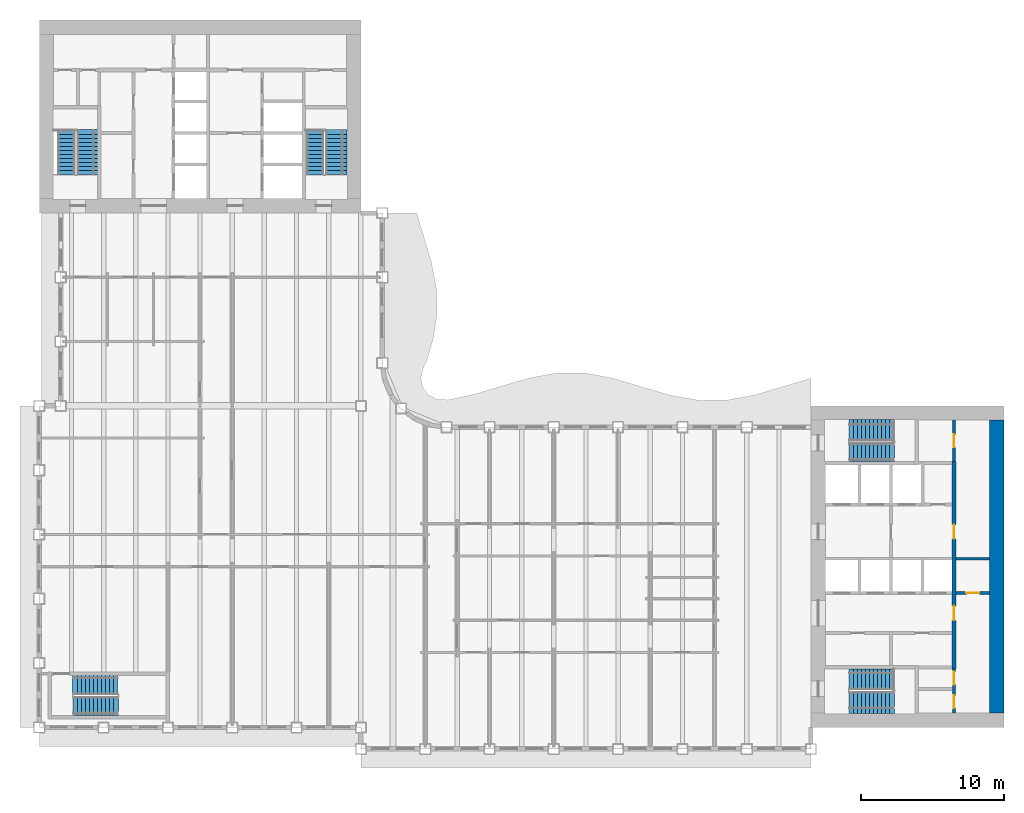
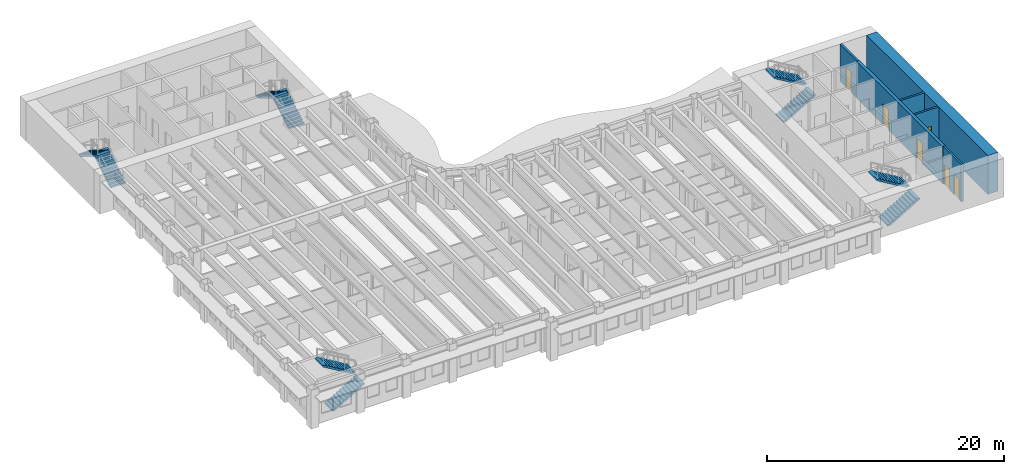
# One storey, part 10 of 16: 10 stair flights, 6 doors, 6 walls, 6 openings, 5 elements without a shape of their own.
"""IFC4 building model written with IfcOpenShell, lengths in metres."""

from ifc_helpers import new_model, si_unit, direction, frame, frame_2d, origin, place, context, subcontext, project, spatial, polyline, rectangle, outline, extrude, material, layer, layer_set, type_object, element, fill, aggregate, save


model = new_model("IFC4")

# Units and contexts
model_context = context("Model", 3, precision=1e-05, world=origin(), true_north=direction((0.0, 1.0)))
body_context = subcontext(model_context, "Body", "Model", "MODEL_VIEW")
ifc_project = project(units=[si_unit("LENGTHUNIT", "METRE"), si_unit("AREAUNIT", "SQUARE_METRE"), si_unit("VOLUMEUNIT", "CUBIC_METRE"), si_unit("PLANEANGLEUNIT", "RADIAN"), si_unit("MASSUNIT", "GRAM", prefix="KILO")], contexts=[model_context])

# Site, building, storey
site_placement = place(None, origin())
site = spatial("IfcSite", under=ifc_project, at=site_placement, CompositionType="ELEMENT")
building_placement = place(site_placement, origin())
building = spatial("IfcBuilding", under=site, at=building_placement, Name="Sennacour Bend Tower", CompositionType="ELEMENT")
storey_placement = place(building_placement, frame((0.0, 0.0, 207.0)))
storey = spatial("IfcBuildingStorey", under=building, at=storey_placement, Name="L47", CompositionType="ELEMENT", Elevation=207.0)

# Wall
ifc_material_1 = material(Name="Concrete C60/75", Category="concrete")
ifc_layer_1 = layer(ifc_material_1, 1.0, Name="Concrete C60/75", Category="concrete")
ifc_layer_set_1 = layer_set([ifc_layer_1], Name="Concrete C60/75")
wall_type_1 = type_object("IfcWallType", Name="Core wall 1000 C60/75", PredefinedType="SHEAR", material=ifc_layer_set_1)
wall_1_placement = place(storey_placement, frame((67.0, 1.0, -0.14990234375), z_axis=(0.0, 0.0, 1.0), x_axis=(0.0, 1.0, 0.0)))
element("IfcWall", 1, at=wall_1_placement, inside=storey, type_object=wall_type_1, Name="Core A wall L47 E", PredefinedType="SHEAR", context=body_context, shape_type="SweptSolid", body=[
    extrude(rectangle(XDim=20.5, YDim=1.0, at=frame_2d((10.25, 0.0))), origin(), (0.0, 0.0, 1.0), 4.0),
])

# Wall, openings, doors
ifc_material_2 = material(Name="Fire-rated plasterboard partition on steel studs", Category="steel")
ifc_layer_2 = layer(ifc_material_2, 0.199951171875, Name="Fire-rated plasterboard partition on steel studs", Category="steel")
ifc_layer_set_2 = layer_set([ifc_layer_2], Name="Fire-rated plasterboard partition on steel studs")
wall_type_2 = type_object("IfcWallType", Name="Rated partition 200", PredefinedType="PARTITIONING", material=ifc_layer_set_2)
wall_2_placement = place(storey_placement, frame((64.0, 1.0, 0.0), z_axis=(0.0, 0.0, 1.0), x_axis=(0.0, 1.0, 0.0)))
wall_2 = element("IfcWall", 2, at=wall_2_placement, inside=storey, type_object=wall_type_2, Name="P-L47-W049", PredefinedType="PARTITIONING", context=body_context, shape_type="SweptSolid", body=[
    extrude(rectangle(XDim=3.10009765625, YDim=0.199951171875, at=frame_2d((1.550048828125, 0.0))), origin(), (0.0, 0.0, 1.0), 3.85009765625),
])
opening_1_placement = place(wall_2_placement, frame((0.35009765625, 0.0, 0.0)))
opening_1 = element("IfcOpeningElement", 3, at=opening_1_placement, cuts=wall_2, Name="Opening SV", PredefinedType="OPENING", context=body_context, shape_type="SweptSolid", body=[
    extrude(rectangle(XDim=0.89990234375, YDim=2.10009765625, at=frame_2d((0.449951171875, 1.050048828125))), frame((0.0, 0.10986328125, 0.0), z_axis=(0.0, -1.0, 0.0), x_axis=(1.0, 0.0, 0.0)), (0.0, 0.0, 1.0), 0.219970703125),
])
opening_2_placement = place(wall_2_placement, frame((2.0, 0.0, 0.0)))
opening_2 = element("IfcOpeningElement", 4, at=opening_2_placement, cuts=wall_2, Name="Opening SV", PredefinedType="OPENING", context=body_context, shape_type="SweptSolid", body=[
    extrude(rectangle(XDim=0.89990234375, YDim=2.10009765625, at=frame_2d((0.449951171875, 1.050048828125))), frame((0.0, 0.10986328125, 0.0), z_axis=(0.0, -1.0, 0.0), x_axis=(1.0, 0.0, 0.0)), (0.0, 0.0, 1.0), 0.219970703125),
])
ifc_material_3 = material(Name="Painted steel", Category="steel")
door_type_1 = type_object("IfcDoorType", Name="DR-SERVICE-900", OperationType="NOTDEFINED", PredefinedType="DOOR", material=ifc_material_3)
door_1_placement = place(opening_1_placement, origin())
door_1 = element("IfcDoor", 5, at=door_1_placement, inside=storey, type_object=door_type_1, Name="Door", OperationType="SINGLE_SWING_LEFT", OverallHeight=2.10009765625, OverallWidth=0.89990234375, PredefinedType="DOOR", context=body_context, shape_type="SweptSolid", body=[
    extrude(rectangle(XDim=0.89990234375, YDim=2.10009765625, at=frame_2d((0.449951171875, 1.050048828125))), frame((0.0, 0.02490234375, 0.0), z_axis=(0.0, -1.0, 0.0), x_axis=(1.0, 0.0, 0.0)), (0.0, 0.0, 1.0), 0.050048828125),
])
fill(opening_1, door_1)
door_2_placement = place(opening_2_placement, origin())
door_2 = element("IfcDoor", 6, at=door_2_placement, inside=storey, type_object=door_type_1, Name="Door", OperationType="SINGLE_SWING_RIGHT", OverallHeight=2.10009765625, OverallWidth=0.89990234375, PredefinedType="DOOR", context=body_context, shape_type="SweptSolid", body=[
    extrude(rectangle(XDim=0.89990234375, YDim=2.10009765625, at=frame_2d((0.449951171875, 1.050048828125))), frame((0.0, 0.02490234375, 0.0), z_axis=(0.0, -1.0, 0.0), x_axis=(1.0, 0.0, 0.0)), (0.0, 0.0, 1.0), 0.050048828125),
])
fill(opening_2, door_2)

# Wall, opening, door
wall_3_placement = place(storey_placement, frame((64.0, 18.60009765625, 0.0), z_axis=(0.0, 0.0, 1.0), x_axis=(0.0, 1.0, 0.0)))
wall_3 = element("IfcWall", 7, at=wall_3_placement, inside=storey, type_object=wall_type_2, Name="P-L47-W051", PredefinedType="PARTITIONING", context=body_context, shape_type="SweptSolid", body=[
    extrude(rectangle(XDim=2.89990234375, YDim=0.199951171875, at=frame_2d((1.449951171875, 0.0))), origin(), (0.0, 0.0, 1.0), 3.85009765625),
])
opening_3_placement = place(wall_3_placement, frame((1.0, 0.0, 0.0)))
opening_3 = element("IfcOpeningElement", 8, at=opening_3_placement, cuts=wall_3, Name="Opening WD", PredefinedType="OPENING", context=body_context, shape_type="SweptSolid", body=[
    extrude(rectangle(XDim=0.89990234375, YDim=2.10009765625, at=frame_2d((0.449951171875, 1.050048828125))), frame((0.0, 0.10986328125, 0.0), z_axis=(0.0, -1.0, 0.0), x_axis=(1.0, 0.0, 0.0)), (0.0, 0.0, 1.0), 0.219970703125),
])
ifc_material_4 = material(Name="Timber", Category="wood")
door_type_2 = type_object("IfcDoorType", Name="DR-WC-900", OperationType="NOTDEFINED", PredefinedType="DOOR", material=ifc_material_4)
door_3_placement = place(opening_3_placement, origin())
door_3 = element("IfcDoor", 9, at=door_3_placement, inside=storey, type_object=door_type_2, Name="Door", OperationType="SINGLE_SWING_LEFT", OverallHeight=2.10009765625, OverallWidth=0.89990234375, PredefinedType="DOOR", context=body_context, shape_type="SweptSolid", body=[
    extrude(rectangle(XDim=0.89990234375, YDim=2.10009765625, at=frame_2d((0.449951171875, 1.050048828125))), frame((0.0, 0.02490234375, 0.0), z_axis=(0.0, -1.0, 0.0), x_axis=(1.0, 0.0, 0.0)), (0.0, 0.0, 1.0), 0.050048828125),
])
fill(opening_3, door_3)

wall_4_placement = place(storey_placement, frame((64.14990234375, 9.39990234375, 0.0), z_axis=(0.0, 0.0, 1.0), x_axis=(1.0, 0.0, 0.0)))
wall_4 = element("IfcWall", 10, at=wall_4_placement, inside=storey, type_object=wall_type_2, Name="P-L47-W064", PredefinedType="PARTITIONING", context=body_context, shape_type="SweptSolid", body=[
    extrude(rectangle(XDim=2.35009765625, YDim=0.199951171875, at=frame_2d((1.175048828125, 0.0))), origin(), (0.0, 0.0, 1.0), 3.85009765625),
])
opening_4_placement = place(wall_4_placement, frame((0.72509765625, 0.0, 0.0)))
opening_4 = element("IfcOpeningElement", 11, at=opening_4_placement, cuts=wall_4, Name="Opening SV", PredefinedType="OPENING", context=body_context, shape_type="SweptSolid", body=[
    extrude(rectangle(XDim=0.89990234375, YDim=2.10009765625, at=frame_2d((0.449951171875, 1.050048828125))), frame((0.0, 0.10986328125, 0.0), z_axis=(0.0, -1.0, 0.0), x_axis=(1.0, 0.0, 0.0)), (0.0, 0.0, 1.0), 0.219970703125),
])
door_4_placement = place(opening_4_placement, origin())
door_4 = element("IfcDoor", 12, at=door_4_placement, inside=storey, type_object=door_type_1, Name="Door", OperationType="SINGLE_SWING_LEFT", OverallHeight=2.10009765625, OverallWidth=0.89990234375, PredefinedType="DOOR", context=body_context, shape_type="SweptSolid", body=[
    extrude(rectangle(XDim=0.89990234375, YDim=2.10009765625, at=frame_2d((0.449951171875, 1.050048828125))), frame((0.0, 0.02490234375, 0.0), z_axis=(0.0, -1.0, 0.0), x_axis=(1.0, 0.0, 0.0)), (0.0, 0.0, 1.0), 0.050048828125),
])
fill(opening_4, door_4)

# Wall
wall_5_placement = place(storey_placement, frame((64.14990234375, 11.800048828125, 0.0), z_axis=(0.0, 0.0, 1.0), x_axis=(1.0, 0.0, 0.0)))
element("IfcWall", 13, at=wall_5_placement, inside=storey, type_object=wall_type_2, Name="P-L47-W068", PredefinedType="PARTITIONING", context=body_context, shape_type="SweptSolid", body=[
    extrude(rectangle(XDim=2.35009765625, YDim=0.199951171875, at=frame_2d((1.175048828125, 0.0))), origin(), (0.0, 0.0, 1.0), 3.85009765625),
])

# Wall, openings, doors
ifc_layer_3 = layer(ifc_material_1, 0.300048828125, Name="Concrete C60/75", Category="concrete")
ifc_layer_set_3 = layer_set([ifc_layer_3], Name="Concrete C60/75")
wall_type_3 = type_object("IfcWallType", Name="Spine wall 300", PredefinedType="SHEAR", material=ifc_layer_set_3)
wall_6_placement = place(storey_placement, frame((64.0, 4.10009765625, 0.0), z_axis=(0.0, 0.0, 1.0), x_axis=(0.0, 1.0, 0.0)))
wall_6 = element("IfcWall", 14, at=wall_6_placement, inside=storey, type_object=wall_type_3, Name="P-L47-W050", PredefinedType="SHEAR", context=body_context, shape_type="SweptSolid", body=[
    extrude(rectangle(XDim=14.5, YDim=0.300048828125, at=frame_2d((7.25, 0.0))), origin(), (0.0, 0.0, 1.0), 3.85009765625),
])
opening_5_placement = place(wall_6_placement, frame((3.39990234375, 0.0, 0.0)))
opening_5 = element("IfcOpeningElement", 15, at=opening_5_placement, cuts=wall_6, Name="Opening CD2", PredefinedType="OPENING", context=body_context, shape_type="SweptSolid", body=[
    extrude(rectangle(XDim=1.0, YDim=2.10009765625, at=frame_2d((0.5, 1.050048828125))), frame((0.0, 0.16015625, 0.0), z_axis=(0.0, -1.0, 0.0), x_axis=(1.0, 0.0, 0.0)), (0.0, 0.0, 1.0), 0.320068359375),
])
opening_6_placement = place(wall_6_placement, frame((9.099853515625, 0.0, 0.0)))
opening_6 = element("IfcOpeningElement", 16, at=opening_6_placement, cuts=wall_6, Name="Opening CD2", PredefinedType="OPENING", context=body_context, shape_type="SweptSolid", body=[
    extrude(rectangle(XDim=1.0, YDim=2.10009765625, at=frame_2d((0.5, 1.050048828125))), frame((0.0, 0.16015625, 0.0), z_axis=(0.0, -1.0, 0.0), x_axis=(1.0, 0.0, 0.0)), (0.0, 0.0, 1.0), 0.320068359375),
])
door_type_3 = type_object("IfcDoorType", Name="DR-LOBBY-1000", OperationType="NOTDEFINED", PredefinedType="DOOR", material=ifc_material_3)
door_5_placement = place(opening_5_placement, origin())
door_5 = element("IfcDoor", 17, at=door_5_placement, inside=storey, type_object=door_type_3, Name="Door", OperationType="SINGLE_SWING_LEFT", OverallHeight=2.10009765625, OverallWidth=1.0, PredefinedType="DOOR", context=body_context, shape_type="SweptSolid", body=[
    extrude(rectangle(XDim=1.0, YDim=2.10009765625, at=frame_2d((0.5, 1.050048828125))), frame((0.0, 0.02490234375, 0.0), z_axis=(0.0, -1.0, 0.0), x_axis=(1.0, 0.0, 0.0)), (0.0, 0.0, 1.0), 0.050048828125),
])
fill(opening_5, door_5)
door_6_placement = place(opening_6_placement, origin())
door_6 = element("IfcDoor", 18, at=door_6_placement, inside=storey, type_object=door_type_3, Name="Door", OperationType="SINGLE_SWING_RIGHT", OverallHeight=2.10009765625, OverallWidth=1.0, PredefinedType="DOOR", context=body_context, shape_type="SweptSolid", body=[
    extrude(rectangle(XDim=1.0, YDim=2.10009765625, at=frame_2d((0.5, 1.050048828125))), frame((0.0, 0.02490234375, 0.0), z_axis=(0.0, -1.0, 0.0), x_axis=(1.0, 0.0, 0.0)), (0.0, 0.0, 1.0), 0.050048828125),
])
fill(opening_6, door_6)

# Stair, stair flights
ifc_material_5 = material(Name="Concrete C40/50", Category="concrete")
stair_type = type_object("IfcStairType", Name="ST-DOGLEG", PredefinedType="HALF_TURN_STAIR", material=ifc_material_5)
stair_1_placement = place(storey_placement, origin())
stair_1 = element("IfcStair", 19, at=stair_1_placement, inside=storey, type_object=stair_type, Name="L47 Exit stair A1", PredefinedType="HALF_TURN_STAIR")
stair_flight_type = type_object("IfcStairFlightType", Name="SFL-RC", PredefinedType="STRAIGHT", material=ifc_material_5)
stair_flight_1_placement = place(storey_placement, frame((56.699951171875, 1.735107421875, 0.0), z_axis=(0.0, 0.0, 1.0), x_axis=(1.0, 0.0, 0.0)))
stair_flight_1 = element("IfcStairFlight", 20, at=stair_flight_1_placement, type_object=stair_flight_type, Name="SA1 flight 1", NumberOfRisers=12, NumberOfTreads=11, PredefinedType="STRAIGHT", RiserHeight=0.166666667, TreadLength=0.28, context=body_context, shape_type="SweptSolid", body=[
    extrude(outline(polyline([(0.0, 0.0), (0.0, 0.166748046875), (0.280029296875, 0.166748046875), (0.280029296875, 0.333251953125), (0.56005859375, 0.333251953125), (0.56005859375, 0.5), (0.840087890625, 0.5), (0.840087890625, 0.666748046875), (1.1201171875, 0.666748046875), (1.1201171875, 0.833251953125), (1.39990234375, 0.833251953125), (1.39990234375, 1.0), (1.679931640625, 1.0), (1.679931640625, 1.166748046875), (1.9599609375, 1.166748046875), (1.9599609375, 1.333251953125), (2.239990234375, 1.333251953125), (2.239990234375, 1.5), (2.52001953125, 1.5), (2.52001953125, 1.666748046875), (2.800048828125, 1.666748046875), (2.800048828125, 1.833251953125), (3.080078125, 1.833251953125), (3.139892578125, 1.833251953125), (3.139892578125, 1.658935546875), (3.080078125, 1.658935546875), (0.29296875, 0.0), (0.0, 0.0)])), frame((0.0, 0.76513671875, 0.0), z_axis=(0.0, -1.0, 0.0), x_axis=(1.0, 0.0, 0.0)), (0.0, 0.0, 1.0), 1.530029296875),
])
stair_flight_2_placement = place(storey_placement, frame((59.780029296875, 3.37744140625, 2.0), z_axis=(0.0, 0.0, 1.0), x_axis=(-1.0, 0.0, 0.0)))
stair_flight_2 = element("IfcStairFlight", 21, at=stair_flight_2_placement, type_object=stair_flight_type, Name="SA1 flight 2", NumberOfRisers=12, NumberOfTreads=11, PredefinedType="STRAIGHT", RiserHeight=0.166666667, TreadLength=0.28, context=body_context, shape_type="SweptSolid", body=[
    extrude(outline(polyline([(0.0, 0.0), (0.0, 0.166748046875), (0.280029296875, 0.166748046875), (0.280029296875, 0.333251953125), (0.56005859375, 0.333251953125), (0.56005859375, 0.5), (0.840087890625, 0.5), (0.840087890625, 0.666748046875), (1.1201171875, 0.666748046875), (1.1201171875, 0.833251953125), (1.39990234375, 0.833251953125), (1.39990234375, 1.0), (1.679931640625, 1.0), (1.679931640625, 1.166748046875), (1.9599609375, 1.166748046875), (1.9599609375, 1.333251953125), (2.239990234375, 1.333251953125), (2.239990234375, 1.5), (2.52001953125, 1.5), (2.52001953125, 1.666748046875), (2.800048828125, 1.666748046875), (2.800048828125, 1.833251953125), (3.080078125, 1.833251953125), (3.139892578125, 1.833251953125), (3.139892578125, 1.658935546875), (3.080078125, 1.658935546875), (0.29296875, 0.0), (0.0, 0.0)])), frame((0.0, 0.7275390625, 0.0), z_axis=(0.0, -1.0, 0.0), x_axis=(1.0, 0.0, 0.0)), (0.0, 0.0, 1.0), 1.455078125),
])
aggregate(stair_1, [stair_flight_1, stair_flight_2])

stair_2_placement = place(storey_placement, origin())
stair_2 = element("IfcStair", 22, at=stair_2_placement, inside=storey, type_object=stair_type, Name="L47 Exit stair A2", PredefinedType="HALF_TURN_STAIR")
stair_flight_3_placement = place(storey_placement, frame((56.699951171875, 19.24755859375, 0.0), z_axis=(0.0, 0.0, 1.0), x_axis=(1.0, 0.0, 0.0)))
stair_flight_3 = element("IfcStairFlight", 23, at=stair_flight_3_placement, type_object=stair_flight_type, Name="SA2 flight 1", NumberOfRisers=12, NumberOfTreads=11, PredefinedType="STRAIGHT", RiserHeight=0.166666667, TreadLength=0.28, context=body_context, shape_type="SweptSolid", body=[
    extrude(outline(polyline([(0.0, 0.0), (0.0, 0.166748046875), (0.280029296875, 0.166748046875), (0.280029296875, 0.333251953125), (0.56005859375, 0.333251953125), (0.56005859375, 0.5), (0.840087890625, 0.5), (0.840087890625, 0.666748046875), (1.1201171875, 0.666748046875), (1.1201171875, 0.833251953125), (1.39990234375, 0.833251953125), (1.39990234375, 1.0), (1.679931640625, 1.0), (1.679931640625, 1.166748046875), (1.9599609375, 1.166748046875), (1.9599609375, 1.333251953125), (2.239990234375, 1.333251953125), (2.239990234375, 1.5), (2.52001953125, 1.5), (2.52001953125, 1.666748046875), (2.800048828125, 1.666748046875), (2.800048828125, 1.833251953125), (3.080078125, 1.833251953125), (3.139892578125, 1.833251953125), (3.139892578125, 1.658935546875), (3.080078125, 1.658935546875), (0.29296875, 0.0), (0.0, 0.0)])), frame((0.0, 0.65234375, 0.0), z_axis=(0.0, -1.0, 0.0), x_axis=(1.0, 0.0, 0.0)), (0.0, 0.0, 1.0), 1.304931640625),
])
stair_flight_4_placement = place(storey_placement, frame((59.780029296875, 20.7900390625, 2.0), z_axis=(0.0, 0.0, 1.0), x_axis=(-1.0, 0.0, 0.0)))
stair_flight_4 = element("IfcStairFlight", 24, at=stair_flight_4_placement, type_object=stair_flight_type, Name="SA2 flight 2", NumberOfRisers=12, NumberOfTreads=11, PredefinedType="STRAIGHT", RiserHeight=0.166666667, TreadLength=0.28, context=body_context, shape_type="SweptSolid", body=[
    extrude(outline(polyline([(0.0, 0.0), (0.0, 0.166748046875), (0.280029296875, 0.166748046875), (0.280029296875, 0.333251953125), (0.56005859375, 0.333251953125), (0.56005859375, 0.5), (0.840087890625, 0.5), (0.840087890625, 0.666748046875), (1.1201171875, 0.666748046875), (1.1201171875, 0.833251953125), (1.39990234375, 0.833251953125), (1.39990234375, 1.0), (1.679931640625, 1.0), (1.679931640625, 1.166748046875), (1.9599609375, 1.166748046875), (1.9599609375, 1.333251953125), (2.239990234375, 1.333251953125), (2.239990234375, 1.5), (2.52001953125, 1.5), (2.52001953125, 1.666748046875), (2.800048828125, 1.666748046875), (2.800048828125, 1.833251953125), (3.080078125, 1.833251953125), (3.139892578125, 1.833251953125), (3.139892578125, 1.658935546875), (3.080078125, 1.658935546875), (0.29296875, 0.0), (0.0, 0.0)])), frame((0.0, 0.739990234375, 0.0), z_axis=(0.0, -1.0, 0.0), x_axis=(1.0, 0.0, 0.0)), (0.0, 0.0, 1.0), 1.47998046875),
])
aggregate(stair_2, [stair_flight_3, stair_flight_4])

stair_3_placement = place(storey_placement, origin())
stair_3 = element("IfcStair", 25, at=stair_3_placement, inside=storey, type_object=stair_type, Name="L47 Exit stair B1", PredefinedType="HALF_TURN_STAIR")
stair_flight_5_placement = place(storey_placement, frame((3.37744140625, 38.699951171875, 0.0), z_axis=(0.0, 0.0, 1.0), x_axis=(0.0, 1.0, 0.0)))
stair_flight_5 = element("IfcStairFlight", 26, at=stair_flight_5_placement, type_object=stair_flight_type, Name="SB1 flight 1", NumberOfRisers=12, NumberOfTreads=11, PredefinedType="STRAIGHT", RiserHeight=0.166666667, TreadLength=0.28, context=body_context, shape_type="SweptSolid", body=[
    extrude(outline(polyline([(0.0, 0.0), (0.0, 0.166748046875), (0.280029296875, 0.166748046875), (0.280029296875, 0.333251953125), (0.56005859375, 0.333251953125), (0.56005859375, 0.5), (0.840087890625, 0.5), (0.840087890625, 0.666748046875), (1.1201171875, 0.666748046875), (1.1201171875, 0.833251953125), (1.39990234375, 0.833251953125), (1.39990234375, 1.0), (1.679931640625, 1.0), (1.679931640625, 1.166748046875), (1.9599609375, 1.166748046875), (1.9599609375, 1.333251953125), (2.239990234375, 1.333251953125), (2.239990234375, 1.5), (2.52001953125, 1.5), (2.52001953125, 1.666748046875), (2.800048828125, 1.666748046875), (2.800048828125, 1.833251953125), (3.080078125, 1.833251953125), (3.139892578125, 1.833251953125), (3.139892578125, 1.658935546875), (3.080078125, 1.658935546875), (0.29296875, 0.0), (0.0, 0.0)])), frame((0.0, 0.7275390625, 0.0), z_axis=(0.0, -1.0, 0.0), x_axis=(1.0, 0.0, 0.0)), (0.0, 0.0, 1.0), 1.455078125),
])
stair_flight_6_placement = place(storey_placement, frame((1.89990234375, 41.780029296875, 2.0), z_axis=(0.0, 0.0, 1.0), x_axis=(0.0, -1.0, 0.0)))
stair_flight_6 = element("IfcStairFlight", 27, at=stair_flight_6_placement, type_object=stair_flight_type, Name="SB1 flight 2", NumberOfRisers=12, NumberOfTreads=11, PredefinedType="STRAIGHT", RiserHeight=0.166666667, TreadLength=0.28, context=body_context, shape_type="SweptSolid", body=[
    extrude(outline(polyline([(0.0, 0.0), (0.0, 0.166748046875), (0.280029296875, 0.166748046875), (0.280029296875, 0.333251953125), (0.56005859375, 0.333251953125), (0.56005859375, 0.5), (0.840087890625, 0.5), (0.840087890625, 0.666748046875), (1.1201171875, 0.666748046875), (1.1201171875, 0.833251953125), (1.39990234375, 0.833251953125), (1.39990234375, 1.0), (1.679931640625, 1.0), (1.679931640625, 1.166748046875), (1.9599609375, 1.166748046875), (1.9599609375, 1.333251953125), (2.239990234375, 1.333251953125), (2.239990234375, 1.5), (2.52001953125, 1.5), (2.52001953125, 1.666748046875), (2.800048828125, 1.666748046875), (2.800048828125, 1.833251953125), (3.080078125, 1.833251953125), (3.139892578125, 1.833251953125), (3.139892578125, 1.658935546875), (3.080078125, 1.658935546875), (0.29296875, 0.0), (0.0, 0.0)])), frame((0.0, 0.60009765625, 0.0), z_axis=(0.0, -1.0, 0.0), x_axis=(1.0, 0.0, 0.0)), (0.0, 0.0, 1.0), 1.199951171875),
])
aggregate(stair_3, [stair_flight_5, stair_flight_6])

stair_4_placement = place(storey_placement, origin())
stair_4 = element("IfcStair", 28, at=stair_4_placement, inside=storey, type_object=stair_type, Name="L47 Exit stair B2", PredefinedType="HALF_TURN_STAIR")
stair_flight_7_placement = place(storey_placement, frame((20.7900390625, 38.699951171875, 0.0), z_axis=(0.0, 0.0, 1.0), x_axis=(0.0, 1.0, 0.0)))
stair_flight_7 = element("IfcStairFlight", 29, at=stair_flight_7_placement, type_object=stair_flight_type, Name="SB2 flight 1", NumberOfRisers=12, NumberOfTreads=11, PredefinedType="STRAIGHT", RiserHeight=0.166666667, TreadLength=0.28, context=body_context, shape_type="SweptSolid", body=[
    extrude(outline(polyline([(0.0, 0.0), (0.0, 0.166748046875), (0.280029296875, 0.166748046875), (0.280029296875, 0.333251953125), (0.56005859375, 0.333251953125), (0.56005859375, 0.5), (0.840087890625, 0.5), (0.840087890625, 0.666748046875), (1.1201171875, 0.666748046875), (1.1201171875, 0.833251953125), (1.39990234375, 0.833251953125), (1.39990234375, 1.0), (1.679931640625, 1.0), (1.679931640625, 1.166748046875), (1.9599609375, 1.166748046875), (1.9599609375, 1.333251953125), (2.239990234375, 1.333251953125), (2.239990234375, 1.5), (2.52001953125, 1.5), (2.52001953125, 1.666748046875), (2.800048828125, 1.666748046875), (2.800048828125, 1.833251953125), (3.080078125, 1.833251953125), (3.139892578125, 1.833251953125), (3.139892578125, 1.658935546875), (3.080078125, 1.658935546875), (0.29296875, 0.0), (0.0, 0.0)])), frame((0.0, 0.739990234375, 0.0), z_axis=(0.0, -1.0, 0.0), x_axis=(1.0, 0.0, 0.0)), (0.0, 0.0, 1.0), 1.47998046875),
])
stair_flight_8_placement = place(storey_placement, frame((19.24755859375, 41.780029296875, 2.0), z_axis=(0.0, 0.0, 1.0), x_axis=(0.0, -1.0, 0.0)))
stair_flight_8 = element("IfcStairFlight", 30, at=stair_flight_8_placement, type_object=stair_flight_type, Name="SB2 flight 2", NumberOfRisers=12, NumberOfTreads=11, PredefinedType="STRAIGHT", RiserHeight=0.166666667, TreadLength=0.28, context=body_context, shape_type="SweptSolid", body=[
    extrude(outline(polyline([(0.0, 0.0), (0.0, 0.166748046875), (0.280029296875, 0.166748046875), (0.280029296875, 0.333251953125), (0.56005859375, 0.333251953125), (0.56005859375, 0.5), (0.840087890625, 0.5), (0.840087890625, 0.666748046875), (1.1201171875, 0.666748046875), (1.1201171875, 0.833251953125), (1.39990234375, 0.833251953125), (1.39990234375, 1.0), (1.679931640625, 1.0), (1.679931640625, 1.166748046875), (1.9599609375, 1.166748046875), (1.9599609375, 1.333251953125), (2.239990234375, 1.333251953125), (2.239990234375, 1.5), (2.52001953125, 1.5), (2.52001953125, 1.666748046875), (2.800048828125, 1.666748046875), (2.800048828125, 1.833251953125), (3.080078125, 1.833251953125), (3.139892578125, 1.833251953125), (3.139892578125, 1.658935546875), (3.080078125, 1.658935546875), (0.29296875, 0.0), (0.0, 0.0)])), frame((0.0, 0.65234375, 0.0), z_axis=(0.0, -1.0, 0.0), x_axis=(1.0, 0.0, 0.0)), (0.0, 0.0, 1.0), 1.304931640625),
])
aggregate(stair_4, [stair_flight_7, stair_flight_8])

stair_5_placement = place(storey_placement, origin())
stair_5 = element("IfcStair", 31, at=stair_5_placement, inside=storey, type_object=stair_type, Name="L47 Exit stair K1", PredefinedType="HALF_TURN_STAIR")
stair_flight_9_placement = place(storey_placement, frame((2.39990234375, 1.485107421875, 0.0), z_axis=(0.0, 0.0, 1.0), x_axis=(1.0, 0.0, 0.0)))
stair_flight_9 = element("IfcStairFlight", 32, at=stair_flight_9_placement, type_object=stair_flight_type, Name="SK1 flight 1", NumberOfRisers=12, NumberOfTreads=11, PredefinedType="STRAIGHT", RiserHeight=0.166666667, TreadLength=0.28, context=body_context, shape_type="SweptSolid", body=[
    extrude(outline(polyline([(0.0, 0.0), (0.0, 0.166748046875), (0.280029296875, 0.166748046875), (0.280029296875, 0.333251953125), (0.56005859375, 0.333251953125), (0.56005859375, 0.5), (0.840087890625, 0.5), (0.840087890625, 0.666748046875), (1.1201171875, 0.666748046875), (1.1201171875, 0.833251953125), (1.39990234375, 0.833251953125), (1.39990234375, 1.0), (1.679931640625, 1.0), (1.679931640625, 1.166748046875), (1.9599609375, 1.166748046875), (1.9599609375, 1.333251953125), (2.239990234375, 1.333251953125), (2.239990234375, 1.5), (2.52001953125, 1.5), (2.52001953125, 1.666748046875), (2.800048828125, 1.666748046875), (2.800048828125, 1.833251953125), (3.080078125, 1.833251953125), (3.139892578125, 1.833251953125), (3.139892578125, 1.658935546875), (3.080078125, 1.658935546875), (0.29296875, 0.0), (0.0, 0.0)])), frame((0.0, 0.6650390625, 0.0), z_axis=(0.0, -1.0, 0.0), x_axis=(1.0, 0.0, 0.0)), (0.0, 0.0, 1.0), 1.330078125),
])
stair_flight_10_placement = place(storey_placement, frame((5.47998046875, 2.9775390625, 2.0), z_axis=(0.0, 0.0, 1.0), x_axis=(-1.0, 0.0, 0.0)))
stair_flight_10 = element("IfcStairFlight", 33, at=stair_flight_10_placement, type_object=stair_flight_type, Name="SK1 flight 2", NumberOfRisers=12, NumberOfTreads=11, PredefinedType="STRAIGHT", RiserHeight=0.166666667, TreadLength=0.28, context=body_context, shape_type="SweptSolid", body=[
    extrude(outline(polyline([(0.0, 0.0), (0.0, 0.166748046875), (0.280029296875, 0.166748046875), (0.280029296875, 0.333251953125), (0.56005859375, 0.333251953125), (0.56005859375, 0.5), (0.840087890625, 0.5), (0.840087890625, 0.666748046875), (1.1201171875, 0.666748046875), (1.1201171875, 0.833251953125), (1.39990234375, 0.833251953125), (1.39990234375, 1.0), (1.679931640625, 1.0), (1.679931640625, 1.166748046875), (1.9599609375, 1.166748046875), (1.9599609375, 1.333251953125), (2.239990234375, 1.333251953125), (2.239990234375, 1.5), (2.52001953125, 1.5), (2.52001953125, 1.666748046875), (2.800048828125, 1.666748046875), (2.800048828125, 1.833251953125), (3.080078125, 1.833251953125), (3.139892578125, 1.833251953125), (3.139892578125, 1.658935546875), (3.080078125, 1.658935546875), (0.29296875, 0.0), (0.0, 0.0)])), frame((0.0, 0.677490234375, 0.0), z_axis=(0.0, -1.0, 0.0), x_axis=(1.0, 0.0, 0.0)), (0.0, 0.0, 1.0), 1.35498046875),
])
aggregate(stair_5, [stair_flight_9, stair_flight_10])

save(model, "model.ifc")
